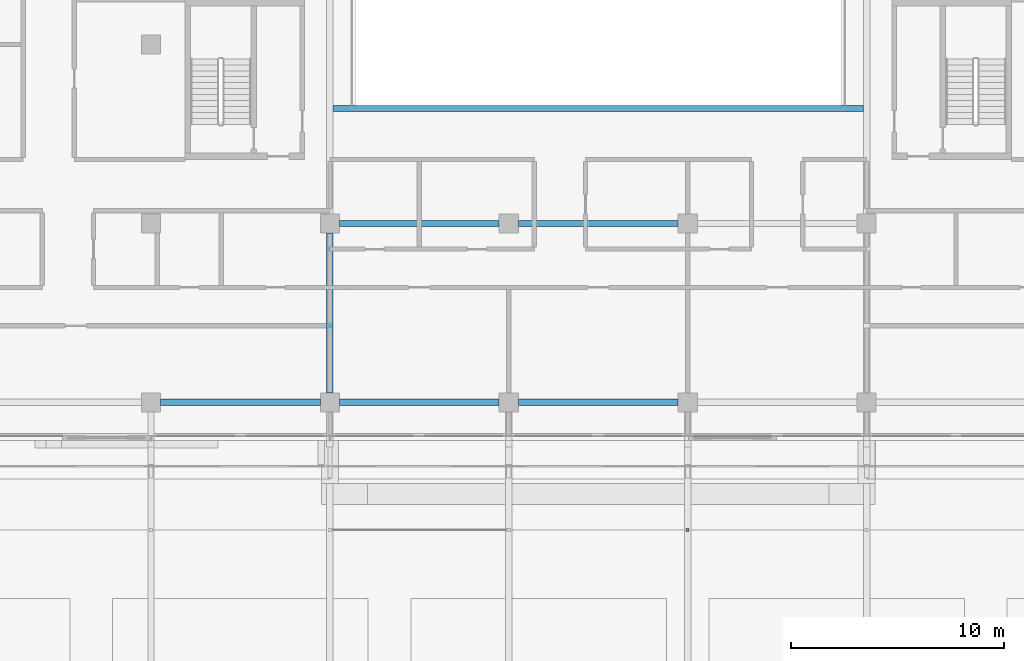
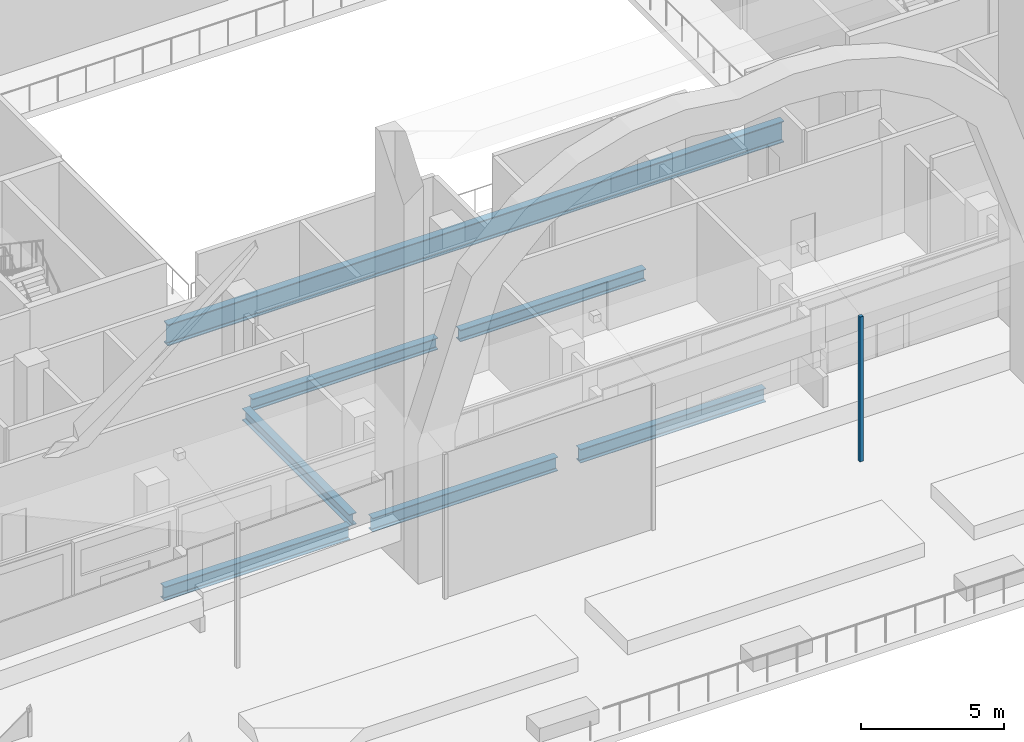
# One storey, part 6 of 60: 7 beams, 1 member.
"""IFC4 building model written with IfcOpenShell, lengths in metres."""

from ifc_helpers import new_model, si_unit, direction, frame, origin, origin_2d, place, context, subcontext, project, spatial, rectangle, i_section, extrude, material, material_profile, profile_set, type_object, element, save


model = new_model("IFC4")

# Units and contexts
model_context = context("Model", 3, precision=1e-05, world=origin(), true_north=direction((0.0, 1.0)))
body_context = subcontext(model_context, "Body", "Model", "MODEL_VIEW")
ifc_project = project(units=[si_unit("LENGTHUNIT", "METRE"), si_unit("AREAUNIT", "SQUARE_METRE"), si_unit("VOLUMEUNIT", "CUBIC_METRE"), si_unit("PLANEANGLEUNIT", "RADIAN"), si_unit("MASSUNIT", "GRAM", prefix="KILO")], contexts=[model_context])

# Site, building, storey
site_placement = place(None, origin())
site = spatial("IfcSite", under=ifc_project, at=site_placement, CompositionType="ELEMENT")
building_placement = place(site_placement, origin())
building = spatial("IfcBuilding", under=site, at=building_placement, Name="Saffron Gate Tower", CompositionType="ELEMENT")
storey_placement = place(building_placement, frame((0.0, 0.0, 19.199951171875)))
storey = spatial("IfcBuildingStorey", under=building, at=storey_placement, Name="L03", CompositionType="ELEMENT", Elevation=19.199951171875)

# Beams
ifc_material = material(Name="Structural steel S355", Category="steel")
ifc_material_profile_1 = material_profile(ifc_material, i_section(OverallWidth=0.300048828125, OverallDepth=0.590087890625, WebThickness=0.012939453125, FlangeThickness=0.02490234375, FilletRadius=0.027099609375, at=origin_2d()))
ifc_profile_set_1 = profile_set([ifc_material_profile_1], Name="Structural steel S355")
beam_type_1 = type_object("IfcBeamType", Name="B14 HEA 600", PredefinedType="SPANDREL", material=ifc_profile_set_1)
for number, where, z_axis, x_axis, name in (
    (1, (67.050048828125, 31.800048828125, -0.594970703125), (1.0, 0.0, 0.0), (0.0, 1.0, 0.0), "B14 SPANDREL BEAM"),
    (2, (75.449951171875, 31.800048828125, -0.594970703125), (1.0, 0.0, 0.0), (0.0, 1.0, 0.0), "B14 SPANDREL BEAM"),
    (3, (83.85009765625, 31.800048828125, -0.594970703125), (1.0, 0.0, 0.0), (0.0, 1.0, 0.0), "B14 SPANDREL BEAM"),
):
    element("IfcBeam", number, at=place(storey_placement, frame(where, z_axis=z_axis, x_axis=x_axis)), inside=storey, type_object=beam_type_1, Name=name, PredefinedType="SPANDREL", context=body_context, shape_type="SweptSolid", body=[
        extrude(i_section(OverallWidth=0.300048828125, OverallDepth=0.590087890625, WebThickness=0.012939453125, FlangeThickness=0.02490234375, FilletRadius=0.027099609375, at=origin_2d()), origin(), (0.0, 0.0, 1.0), 7.5),
    ])
ifc_material_profile_2 = material_profile(ifc_material, i_section(OverallWidth=0.300048828125, OverallDepth=0.89990234375, WebThickness=0.0185546875, FlangeThickness=0.034912109375, FilletRadius=0.030029296875, at=origin_2d()))
ifc_profile_set_2 = profile_set([ifc_material_profile_2], Name="Structural steel S355")
beam_type_2 = type_object("IfcBeamType", Name="B20 HEB 900", PredefinedType="BEAM", material=ifc_profile_set_2)
beam_placement = place(storey_placement, frame((75.14990234375, 45.60009765625, -0.75), z_axis=(1.0, 0.0, 0.0), x_axis=(0.0, 1.0, 0.0)))
element("IfcBeam", 4, at=beam_placement, inside=storey, type_object=beam_type_2, Name="B20 ATRIUM GIRDER", PredefinedType="BEAM", context=body_context, shape_type="SweptSolid", body=[
    extrude(i_section(OverallWidth=0.300048828125, OverallDepth=0.89990234375, WebThickness=0.0185546875, FlangeThickness=0.034912109375, FilletRadius=0.030029296875, at=origin_2d()), origin(), (0.0, 0.0, 1.0), 24.900146484375),
])
ifc_material_profile_3 = material_profile(ifc_material, i_section(OverallWidth=0.300048828125, OverallDepth=0.5, WebThickness=0.014404296875, FlangeThickness=0.028076171875, FilletRadius=0.027099609375, at=origin_2d()))
ifc_profile_set_3 = profile_set([ifc_material_profile_3], Name="Structural steel S355")
beam_type_3 = type_object("IfcBeamType", Name="B9 HEB 500", PredefinedType="BEAM", material=ifc_profile_set_3)
for number, where, z_axis, x_axis, name in (
    (5, (75.0, 32.25, -0.550048828125), (0.0, 1.0, 0.0), (-1.0, 0.0, 0.0), "B9 FLOOR GIRDER"),
    (6, (75.449951171875, 40.199951171875, -0.550048828125), (1.0, 0.0, 0.0), (0.0, 1.0, 0.0), "B9 FLOOR GIRDER"),
    (7, (83.85009765625, 40.199951171875, -0.550048828125), (1.0, 0.0, 0.0), (0.0, 1.0, 0.0), "B9 FLOOR GIRDER"),
):
    element("IfcBeam", number, at=place(storey_placement, frame(where, z_axis=z_axis, x_axis=x_axis)), inside=storey, type_object=beam_type_3, Name=name, PredefinedType="BEAM", context=body_context, shape_type="SweptSolid", body=[
        extrude(i_section(OverallWidth=0.300048828125, OverallDepth=0.5, WebThickness=0.014404296875, FlangeThickness=0.028076171875, FilletRadius=0.027099609375, at=origin_2d()), origin(), (0.0, 0.0, 1.0), 7.5),
    ])

# Member
ifc_material_profile_4 = material_profile(ifc_material, rectangle(XDim=0.139892578125, YDim=0.139892578125, at=origin_2d()))
ifc_profile_set_4 = profile_set([ifc_material_profile_4], Name="Structural steel S355")
member_type = type_object("IfcMemberType", Name="HL1 hall post", PredefinedType="POST", material=ifc_profile_set_4)
member_placement = place(storey_placement, frame((91.800048828125, 25.800048828125, 0.0), z_axis=(0.0, 0.0, 1.0), x_axis=(1.0, 0.0, 0.0)))
element("IfcMember", 8, at=member_placement, inside=storey, type_object=member_type, Name="HALL POST", PredefinedType="POST", context=body_context, shape_type="SweptSolid", body=[
    extrude(rectangle(XDim=0.139892578125, YDim=0.139892578125, at=origin_2d()), origin(), (0.0, 0.0, 1.0), 6.18994140625),
])

save(model, "model.ifc")
